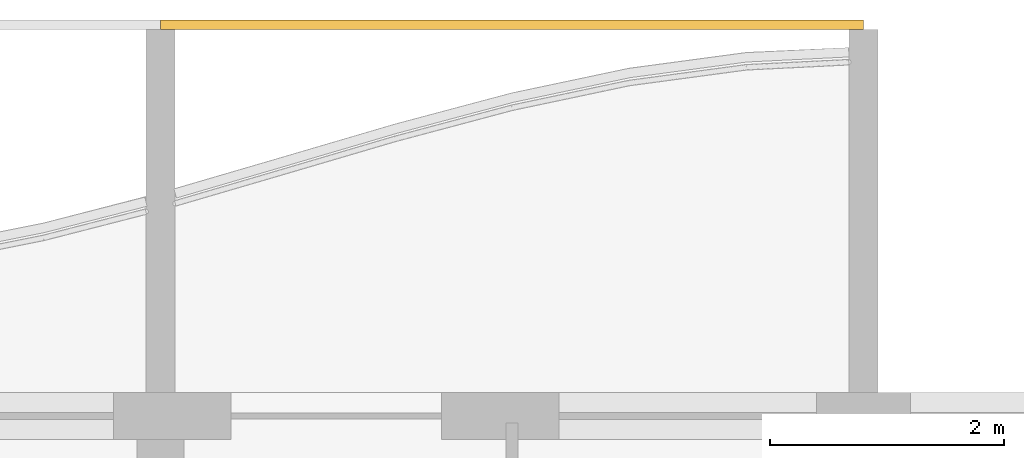
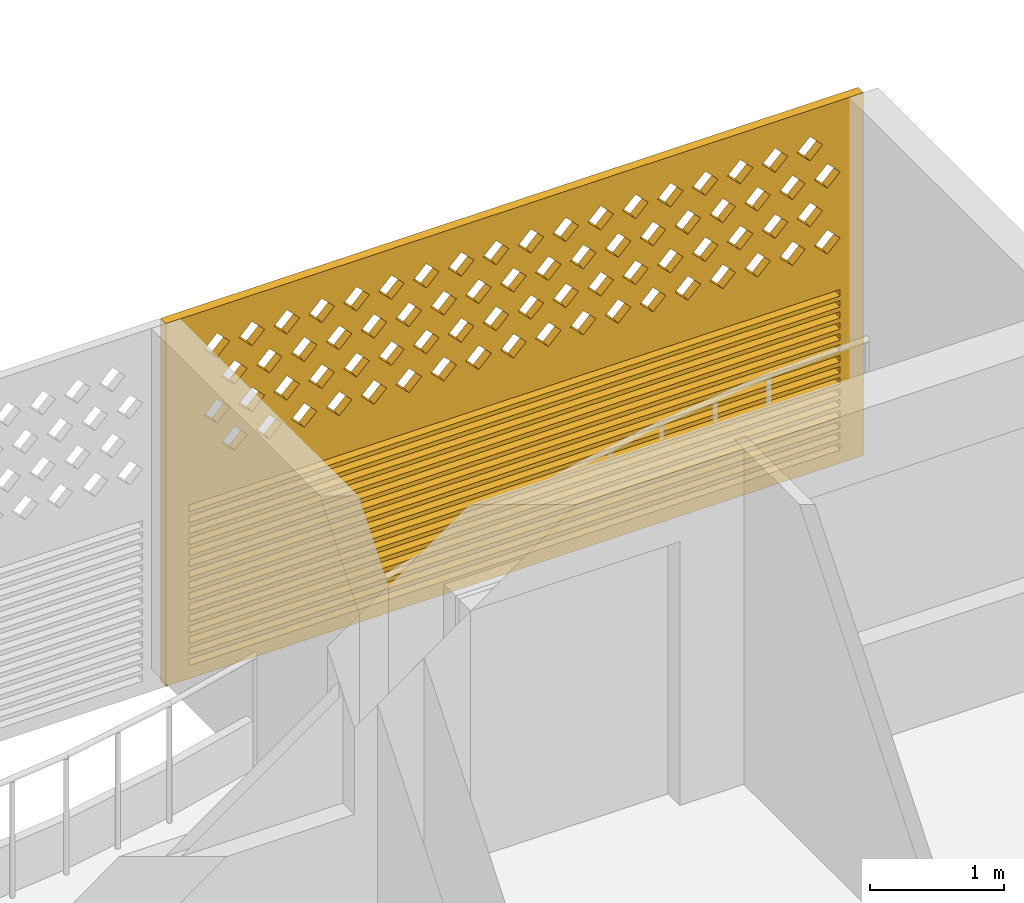
# One storey, part 39 of 39: 1 covering.
"""IFC4 building model written with IfcOpenShell, lengths in metres."""

from ifc_helpers import new_model, si_unit, direction, frame, origin, place, context, subcontext, project, spatial, polyline, outline, extrude, source, transform, mapped, material, material_profile, profile_set, type_object, element, save


model = new_model("IFC4")

# Units and contexts
model_context = context("Model", 3, precision=1e-05, world=origin(), true_north=direction((0.0, 1.0)))
body_context = subcontext(model_context, "Body", "Model", "MODEL_VIEW")
ifc_project = project(units=[si_unit("LENGTHUNIT", "METRE"), si_unit("AREAUNIT", "SQUARE_METRE"), si_unit("VOLUMEUNIT", "CUBIC_METRE"), si_unit("PLANEANGLEUNIT", "RADIAN"), si_unit("MASSUNIT", "GRAM", prefix="KILO")], contexts=[model_context])

# Site, building, storey
site_placement = place(None, origin())
site = spatial("IfcSite", under=ifc_project, at=site_placement, CompositionType="ELEMENT")
building_placement = place(site_placement, origin())
building = spatial("IfcBuilding", under=site, at=building_placement, Name="Poui Terraces", CompositionType="ELEMENT")
storey_placement = place(building_placement, frame((0.0, 0.0, 56.39990234375)))
storey = spatial("IfcBuildingStorey", under=building, at=storey_placement, Name="L15", CompositionType="ELEMENT", Elevation=56.39990234375)

# Covering
ifc_material = material(Name="Terracotta screen", Category="masonry")
ifc_material_profile = material_profile(ifc_material, outline(polyline([(-3.0, -1.64990234375), (3.0, -1.64990234375), (3.0, 1.64990234375), (-3.0, 1.64990234375), (-3.0, -1.64990234375)]), holes=[polyline([(-2.800048828125, 0.39990234375), (-2.68994140625, 0.2900390625), (-2.580078125, 0.39990234375), (-2.68994140625, 0.510009765625), (-2.800048828125, 0.39990234375)]), polyline([(-2.5, 0.39990234375), (-2.389892578125, 0.2900390625), (-2.280029296875, 0.39990234375), (-2.389892578125, 0.510009765625), (-2.5, 0.39990234375)]), polyline([(-2.199951171875, 0.39990234375), (-2.090087890625, 0.2900390625), (-1.97998046875, 0.39990234375), (-2.090087890625, 0.510009765625), (-2.199951171875, 0.39990234375)]), polyline([(-1.89990234375, 0.39990234375), (-1.7900390625, 0.2900390625), (-1.679931640625, 0.39990234375), (-1.7900390625, 0.510009765625), (-1.89990234375, 0.39990234375)]), polyline([(-1.60009765625, 0.39990234375), (-1.489990234375, 0.2900390625), (-1.3798828125, 0.39990234375), (-1.489990234375, 0.510009765625), (-1.60009765625, 0.39990234375)]), polyline([(-1.300048828125, 0.39990234375), (-1.18994140625, 0.2900390625), (-1.080078125, 0.39990234375), (-1.18994140625, 0.510009765625), (-1.300048828125, 0.39990234375)]), polyline([(-1.0, 0.39990234375), (-0.889892578125, 0.2900390625), (-0.780029296875, 0.39990234375), (-0.889892578125, 0.510009765625), (-1.0, 0.39990234375)]), polyline([(-0.699951171875, 0.39990234375), (-0.590087890625, 0.2900390625), (-0.47998046875, 0.39990234375), (-0.590087890625, 0.510009765625), (-0.699951171875, 0.39990234375)]), polyline([(-0.39990234375, 0.39990234375), (-0.2900390625, 0.2900390625), (-0.179931640625, 0.39990234375), (-0.2900390625, 0.510009765625), (-0.39990234375, 0.39990234375)]), polyline([(-0.10009765625, 0.39990234375), (0.010009765625, 0.2900390625), (0.1201171875, 0.39990234375), (0.010009765625, 0.510009765625), (-0.10009765625, 0.39990234375)]), polyline([(0.199951171875, 0.39990234375), (0.31005859375, 0.2900390625), (0.419921875, 0.39990234375), (0.31005859375, 0.510009765625), (0.199951171875, 0.39990234375)]), polyline([(0.5, 0.39990234375), (0.610107421875, 0.2900390625), (0.719970703125, 0.39990234375), (0.610107421875, 0.510009765625), (0.5, 0.39990234375)]), polyline([(0.800048828125, 0.39990234375), (0.909912109375, 0.2900390625), (1.02001953125, 0.39990234375), (0.909912109375, 0.510009765625), (0.800048828125, 0.39990234375)]), polyline([(1.10009765625, 0.39990234375), (1.2099609375, 0.2900390625), (1.320068359375, 0.39990234375), (1.2099609375, 0.510009765625), (1.10009765625, 0.39990234375)]), polyline([(1.39990234375, 0.39990234375), (1.510009765625, 0.2900390625), (1.6201171875, 0.39990234375), (1.510009765625, 0.510009765625), (1.39990234375, 0.39990234375)]), polyline([(1.699951171875, 0.39990234375), (1.81005859375, 0.2900390625), (1.919921875, 0.39990234375), (1.81005859375, 0.510009765625), (1.699951171875, 0.39990234375)]), polyline([(2.0, 0.39990234375), (2.110107421875, 0.2900390625), (2.219970703125, 0.39990234375), (2.110107421875, 0.510009765625), (2.0, 0.39990234375)]), polyline([(2.300048828125, 0.39990234375), (2.409912109375, 0.2900390625), (2.52001953125, 0.39990234375), (2.409912109375, 0.510009765625), (2.300048828125, 0.39990234375)]), polyline([(-2.64990234375, 0.699951171875), (-2.5400390625, 0.590087890625), (-2.429931640625, 0.699951171875), (-2.5400390625, 0.81005859375), (-2.64990234375, 0.699951171875)]), polyline([(-2.35009765625, 0.699951171875), (-2.239990234375, 0.590087890625), (-2.1298828125, 0.699951171875), (-2.239990234375, 0.81005859375), (-2.35009765625, 0.699951171875)]), polyline([(-2.050048828125, 0.699951171875), (-1.93994140625, 0.590087890625), (-1.830078125, 0.699951171875), (-1.93994140625, 0.81005859375), (-2.050048828125, 0.699951171875)]), polyline([(-1.75, 0.699951171875), (-1.639892578125, 0.590087890625), (-1.530029296875, 0.699951171875), (-1.639892578125, 0.81005859375), (-1.75, 0.699951171875)]), polyline([(-1.449951171875, 0.699951171875), (-1.340087890625, 0.590087890625), (-1.22998046875, 0.699951171875), (-1.340087890625, 0.81005859375), (-1.449951171875, 0.699951171875)]), polyline([(-1.14990234375, 0.699951171875), (-1.0400390625, 0.590087890625), (-0.929931640625, 0.699951171875), (-1.0400390625, 0.81005859375), (-1.14990234375, 0.699951171875)]), polyline([(-0.85009765625, 0.699951171875), (-0.739990234375, 0.590087890625), (-0.6298828125, 0.699951171875), (-0.739990234375, 0.81005859375), (-0.85009765625, 0.699951171875)]), polyline([(-0.550048828125, 0.699951171875), (-0.43994140625, 0.590087890625), (-0.330078125, 0.699951171875), (-0.43994140625, 0.81005859375), (-0.550048828125, 0.699951171875)]), polyline([(-0.25, 0.699951171875), (-0.139892578125, 0.590087890625), (-0.030029296875, 0.699951171875), (-0.139892578125, 0.81005859375), (-0.25, 0.699951171875)]), polyline([(0.050048828125, 0.699951171875), (0.159912109375, 0.590087890625), (0.27001953125, 0.699951171875), (0.159912109375, 0.81005859375), (0.050048828125, 0.699951171875)]), polyline([(0.35009765625, 0.699951171875), (0.4599609375, 0.590087890625), (0.570068359375, 0.699951171875), (0.4599609375, 0.81005859375), (0.35009765625, 0.699951171875)]), polyline([(0.64990234375, 0.699951171875), (0.760009765625, 0.590087890625), (0.8701171875, 0.699951171875), (0.760009765625, 0.81005859375), (0.64990234375, 0.699951171875)]), polyline([(0.949951171875, 0.699951171875), (1.06005859375, 0.590087890625), (1.169921875, 0.699951171875), (1.06005859375, 0.81005859375), (0.949951171875, 0.699951171875)]), polyline([(1.25, 0.699951171875), (1.360107421875, 0.590087890625), (1.469970703125, 0.699951171875), (1.360107421875, 0.81005859375), (1.25, 0.699951171875)]), polyline([(1.550048828125, 0.699951171875), (1.659912109375, 0.590087890625), (1.77001953125, 0.699951171875), (1.659912109375, 0.81005859375), (1.550048828125, 0.699951171875)]), polyline([(1.85009765625, 0.699951171875), (1.9599609375, 0.590087890625), (2.070068359375, 0.699951171875), (1.9599609375, 0.81005859375), (1.85009765625, 0.699951171875)]), polyline([(2.14990234375, 0.699951171875), (2.260009765625, 0.590087890625), (2.3701171875, 0.699951171875), (2.260009765625, 0.81005859375), (2.14990234375, 0.699951171875)]), polyline([(2.449951171875, 0.699951171875), (2.56005859375, 0.590087890625), (2.669921875, 0.699951171875), (2.56005859375, 0.81005859375), (2.449951171875, 0.699951171875)]), polyline([(-2.800048828125, 1.0), (-2.68994140625, 0.889892578125), (-2.580078125, 1.0), (-2.68994140625, 1.110107421875), (-2.800048828125, 1.0)]), polyline([(-2.5, 1.0), (-2.389892578125, 0.889892578125), (-2.280029296875, 1.0), (-2.389892578125, 1.110107421875), (-2.5, 1.0)]), polyline([(-2.199951171875, 1.0), (-2.090087890625, 0.889892578125), (-1.97998046875, 1.0), (-2.090087890625, 1.110107421875), (-2.199951171875, 1.0)]), polyline([(-1.89990234375, 1.0), (-1.7900390625, 0.889892578125), (-1.679931640625, 1.0), (-1.7900390625, 1.110107421875), (-1.89990234375, 1.0)]), polyline([(-1.60009765625, 1.0), (-1.489990234375, 0.889892578125), (-1.3798828125, 1.0), (-1.489990234375, 1.110107421875), (-1.60009765625, 1.0)]), polyline([(-1.300048828125, 1.0), (-1.18994140625, 0.889892578125), (-1.080078125, 1.0), (-1.18994140625, 1.110107421875), (-1.300048828125, 1.0)]), polyline([(-1.0, 1.0), (-0.889892578125, 0.889892578125), (-0.780029296875, 1.0), (-0.889892578125, 1.110107421875), (-1.0, 1.0)]), polyline([(-0.699951171875, 1.0), (-0.590087890625, 0.889892578125), (-0.47998046875, 1.0), (-0.590087890625, 1.110107421875), (-0.699951171875, 1.0)]), polyline([(-0.39990234375, 1.0), (-0.2900390625, 0.889892578125), (-0.179931640625, 1.0), (-0.2900390625, 1.110107421875), (-0.39990234375, 1.0)]), polyline([(-0.10009765625, 1.0), (0.010009765625, 0.889892578125), (0.1201171875, 1.0), (0.010009765625, 1.110107421875), (-0.10009765625, 1.0)]), polyline([(0.199951171875, 1.0), (0.31005859375, 0.889892578125), (0.419921875, 1.0), (0.31005859375, 1.110107421875), (0.199951171875, 1.0)]), polyline([(0.5, 1.0), (0.610107421875, 0.889892578125), (0.719970703125, 1.0), (0.610107421875, 1.110107421875), (0.5, 1.0)]), polyline([(0.800048828125, 1.0), (0.909912109375, 0.889892578125), (1.02001953125, 1.0), (0.909912109375, 1.110107421875), (0.800048828125, 1.0)]), polyline([(1.10009765625, 1.0), (1.2099609375, 0.889892578125), (1.320068359375, 1.0), (1.2099609375, 1.110107421875), (1.10009765625, 1.0)]), polyline([(1.39990234375, 1.0), (1.510009765625, 0.889892578125), (1.6201171875, 1.0), (1.510009765625, 1.110107421875), (1.39990234375, 1.0)]), polyline([(1.699951171875, 1.0), (1.81005859375, 0.889892578125), (1.919921875, 1.0), (1.81005859375, 1.110107421875), (1.699951171875, 1.0)]), polyline([(2.0, 1.0), (2.110107421875, 0.889892578125), (2.219970703125, 1.0), (2.110107421875, 1.110107421875), (2.0, 1.0)]), polyline([(2.300048828125, 1.0), (2.409912109375, 0.889892578125), (2.52001953125, 1.0), (2.409912109375, 1.110107421875), (2.300048828125, 1.0)]), polyline([(-2.64990234375, 1.300048828125), (-2.5400390625, 1.18994140625), (-2.429931640625, 1.300048828125), (-2.5400390625, 1.409912109375), (-2.64990234375, 1.300048828125)]), polyline([(-2.35009765625, 1.300048828125), (-2.239990234375, 1.18994140625), (-2.1298828125, 1.300048828125), (-2.239990234375, 1.409912109375), (-2.35009765625, 1.300048828125)]), polyline([(-2.050048828125, 1.300048828125), (-1.93994140625, 1.18994140625), (-1.830078125, 1.300048828125), (-1.93994140625, 1.409912109375), (-2.050048828125, 1.300048828125)]), polyline([(-1.75, 1.300048828125), (-1.639892578125, 1.18994140625), (-1.530029296875, 1.300048828125), (-1.639892578125, 1.409912109375), (-1.75, 1.300048828125)]), polyline([(-1.449951171875, 1.300048828125), (-1.340087890625, 1.18994140625), (-1.22998046875, 1.300048828125), (-1.340087890625, 1.409912109375), (-1.449951171875, 1.300048828125)]), polyline([(-1.14990234375, 1.300048828125), (-1.0400390625, 1.18994140625), (-0.929931640625, 1.300048828125), (-1.0400390625, 1.409912109375), (-1.14990234375, 1.300048828125)]), polyline([(-0.85009765625, 1.300048828125), (-0.739990234375, 1.18994140625), (-0.6298828125, 1.300048828125), (-0.739990234375, 1.409912109375), (-0.85009765625, 1.300048828125)]), polyline([(-0.550048828125, 1.300048828125), (-0.43994140625, 1.18994140625), (-0.330078125, 1.300048828125), (-0.43994140625, 1.409912109375), (-0.550048828125, 1.300048828125)]), polyline([(-0.25, 1.300048828125), (-0.139892578125, 1.18994140625), (-0.030029296875, 1.300048828125), (-0.139892578125, 1.409912109375), (-0.25, 1.300048828125)]), polyline([(0.050048828125, 1.300048828125), (0.159912109375, 1.18994140625), (0.27001953125, 1.300048828125), (0.159912109375, 1.409912109375), (0.050048828125, 1.300048828125)]), polyline([(0.35009765625, 1.300048828125), (0.4599609375, 1.18994140625), (0.570068359375, 1.300048828125), (0.4599609375, 1.409912109375), (0.35009765625, 1.300048828125)]), polyline([(0.64990234375, 1.300048828125), (0.760009765625, 1.18994140625), (0.8701171875, 1.300048828125), (0.760009765625, 1.409912109375), (0.64990234375, 1.300048828125)]), polyline([(0.949951171875, 1.300048828125), (1.06005859375, 1.18994140625), (1.169921875, 1.300048828125), (1.06005859375, 1.409912109375), (0.949951171875, 1.300048828125)]), polyline([(1.25, 1.300048828125), (1.360107421875, 1.18994140625), (1.469970703125, 1.300048828125), (1.360107421875, 1.409912109375), (1.25, 1.300048828125)]), polyline([(1.550048828125, 1.300048828125), (1.659912109375, 1.18994140625), (1.77001953125, 1.300048828125), (1.659912109375, 1.409912109375), (1.550048828125, 1.300048828125)]), polyline([(1.85009765625, 1.300048828125), (1.9599609375, 1.18994140625), (2.070068359375, 1.300048828125), (1.9599609375, 1.409912109375), (1.85009765625, 1.300048828125)]), polyline([(2.14990234375, 1.300048828125), (2.260009765625, 1.18994140625), (2.3701171875, 1.300048828125), (2.260009765625, 1.409912109375), (2.14990234375, 1.300048828125)]), polyline([(2.449951171875, 1.300048828125), (2.56005859375, 1.18994140625), (2.669921875, 1.300048828125), (2.56005859375, 1.409912109375), (2.449951171875, 1.300048828125)]), polyline([(-2.800048828125, -1.530029296875), (2.800048828125, -1.530029296875), (2.800048828125, -1.469970703125), (-2.800048828125, -1.469970703125), (-2.800048828125, -1.530029296875)]), polyline([(-2.800048828125, -1.429931640625), (2.800048828125, -1.429931640625), (2.800048828125, -1.3701171875), (-2.800048828125, -1.3701171875), (-2.800048828125, -1.429931640625)]), polyline([(-2.800048828125, -1.330078125), (2.800048828125, -1.330078125), (2.800048828125, -1.27001953125), (-2.800048828125, -1.27001953125), (-2.800048828125, -1.330078125)]), polyline([(-2.800048828125, -1.22998046875), (2.800048828125, -1.22998046875), (2.800048828125, -1.169921875), (-2.800048828125, -1.169921875), (-2.800048828125, -1.22998046875)]), polyline([(-2.800048828125, -1.1298828125), (2.800048828125, -1.1298828125), (2.800048828125, -1.070068359375), (-2.800048828125, -1.070068359375), (-2.800048828125, -1.1298828125)]), polyline([(-2.800048828125, -1.030029296875), (2.800048828125, -1.030029296875), (2.800048828125, -0.969970703125), (-2.800048828125, -0.969970703125), (-2.800048828125, -1.030029296875)]), polyline([(-2.800048828125, -0.929931640625), (2.800048828125, -0.929931640625), (2.800048828125, -0.8701171875), (-2.800048828125, -0.8701171875), (-2.800048828125, -0.929931640625)]), polyline([(-2.800048828125, -0.830078125), (2.800048828125, -0.830078125), (2.800048828125, -0.77001953125), (-2.800048828125, -0.77001953125), (-2.800048828125, -0.830078125)]), polyline([(-2.800048828125, -0.72998046875), (2.800048828125, -0.72998046875), (2.800048828125, -0.669921875), (-2.800048828125, -0.669921875), (-2.800048828125, -0.72998046875)]), polyline([(-2.800048828125, -0.6298828125), (2.800048828125, -0.6298828125), (2.800048828125, -0.570068359375), (-2.800048828125, -0.570068359375), (-2.800048828125, -0.6298828125)]), polyline([(-2.800048828125, -0.530029296875), (2.800048828125, -0.530029296875), (2.800048828125, -0.469970703125), (-2.800048828125, -0.469970703125), (-2.800048828125, -0.530029296875)]), polyline([(-2.800048828125, -0.429931640625), (2.800048828125, -0.429931640625), (2.800048828125, -0.3701171875), (-2.800048828125, -0.3701171875), (-2.800048828125, -0.429931640625)]), polyline([(-2.800048828125, -0.330078125), (2.800048828125, -0.330078125), (2.800048828125, -0.27001953125), (-2.800048828125, -0.27001953125), (-2.800048828125, -0.330078125)]), polyline([(-2.800048828125, -0.22998046875), (2.800048828125, -0.22998046875), (2.800048828125, -0.169921875), (-2.800048828125, -0.169921875), (-2.800048828125, -0.22998046875)]), polyline([(-2.800048828125, -0.1298828125), (2.800048828125, -0.1298828125), (2.800048828125, -0.070068359375), (-2.800048828125, -0.070068359375), (-2.800048828125, -0.1298828125)])]), Name="TERRACOTTA SCREEN AND JALOUSIE LOUVRE 6000X3300")
ifc_profile_set = profile_set([ifc_material_profile], Name="Terracotta screen")
covering_type = type_object("IfcCoveringType", Name="TERRACOTTA SCREEN AND JALOUSIE LOUVRE 6000X3300", PredefinedType="CLADDING", material=ifc_profile_set)
shared_shape = source(origin(), body_context, "Body", "SweptSolid", [
    extrude(outline(polyline([(-3.0, -1.64990234375), (3.0, -1.64990234375), (3.0, 1.64990234375), (-3.0, 1.64990234375), (-3.0, -1.64990234375)]), holes=[polyline([(-2.800048828125, 0.39990234375), (-2.68994140625, 0.2900390625), (-2.580078125, 0.39990234375), (-2.68994140625, 0.510009765625), (-2.800048828125, 0.39990234375)]), polyline([(-2.5, 0.39990234375), (-2.389892578125, 0.2900390625), (-2.280029296875, 0.39990234375), (-2.389892578125, 0.510009765625), (-2.5, 0.39990234375)]), polyline([(-2.199951171875, 0.39990234375), (-2.090087890625, 0.2900390625), (-1.97998046875, 0.39990234375), (-2.090087890625, 0.510009765625), (-2.199951171875, 0.39990234375)]), polyline([(-1.89990234375, 0.39990234375), (-1.7900390625, 0.2900390625), (-1.679931640625, 0.39990234375), (-1.7900390625, 0.510009765625), (-1.89990234375, 0.39990234375)]), polyline([(-1.60009765625, 0.39990234375), (-1.489990234375, 0.2900390625), (-1.3798828125, 0.39990234375), (-1.489990234375, 0.510009765625), (-1.60009765625, 0.39990234375)]), polyline([(-1.300048828125, 0.39990234375), (-1.18994140625, 0.2900390625), (-1.080078125, 0.39990234375), (-1.18994140625, 0.510009765625), (-1.300048828125, 0.39990234375)]), polyline([(-1.0, 0.39990234375), (-0.889892578125, 0.2900390625), (-0.780029296875, 0.39990234375), (-0.889892578125, 0.510009765625), (-1.0, 0.39990234375)]), polyline([(-0.699951171875, 0.39990234375), (-0.590087890625, 0.2900390625), (-0.47998046875, 0.39990234375), (-0.590087890625, 0.510009765625), (-0.699951171875, 0.39990234375)]), polyline([(-0.39990234375, 0.39990234375), (-0.2900390625, 0.2900390625), (-0.179931640625, 0.39990234375), (-0.2900390625, 0.510009765625), (-0.39990234375, 0.39990234375)]), polyline([(-0.10009765625, 0.39990234375), (0.010009765625, 0.2900390625), (0.1201171875, 0.39990234375), (0.010009765625, 0.510009765625), (-0.10009765625, 0.39990234375)]), polyline([(0.199951171875, 0.39990234375), (0.31005859375, 0.2900390625), (0.419921875, 0.39990234375), (0.31005859375, 0.510009765625), (0.199951171875, 0.39990234375)]), polyline([(0.5, 0.39990234375), (0.610107421875, 0.2900390625), (0.719970703125, 0.39990234375), (0.610107421875, 0.510009765625), (0.5, 0.39990234375)]), polyline([(0.800048828125, 0.39990234375), (0.909912109375, 0.2900390625), (1.02001953125, 0.39990234375), (0.909912109375, 0.510009765625), (0.800048828125, 0.39990234375)]), polyline([(1.10009765625, 0.39990234375), (1.2099609375, 0.2900390625), (1.320068359375, 0.39990234375), (1.2099609375, 0.510009765625), (1.10009765625, 0.39990234375)]), polyline([(1.39990234375, 0.39990234375), (1.510009765625, 0.2900390625), (1.6201171875, 0.39990234375), (1.510009765625, 0.510009765625), (1.39990234375, 0.39990234375)]), polyline([(1.699951171875, 0.39990234375), (1.81005859375, 0.2900390625), (1.919921875, 0.39990234375), (1.81005859375, 0.510009765625), (1.699951171875, 0.39990234375)]), polyline([(2.0, 0.39990234375), (2.110107421875, 0.2900390625), (2.219970703125, 0.39990234375), (2.110107421875, 0.510009765625), (2.0, 0.39990234375)]), polyline([(2.300048828125, 0.39990234375), (2.409912109375, 0.2900390625), (2.52001953125, 0.39990234375), (2.409912109375, 0.510009765625), (2.300048828125, 0.39990234375)]), polyline([(-2.64990234375, 0.699951171875), (-2.5400390625, 0.590087890625), (-2.429931640625, 0.699951171875), (-2.5400390625, 0.81005859375), (-2.64990234375, 0.699951171875)]), polyline([(-2.35009765625, 0.699951171875), (-2.239990234375, 0.590087890625), (-2.1298828125, 0.699951171875), (-2.239990234375, 0.81005859375), (-2.35009765625, 0.699951171875)]), polyline([(-2.050048828125, 0.699951171875), (-1.93994140625, 0.590087890625), (-1.830078125, 0.699951171875), (-1.93994140625, 0.81005859375), (-2.050048828125, 0.699951171875)]), polyline([(-1.75, 0.699951171875), (-1.639892578125, 0.590087890625), (-1.530029296875, 0.699951171875), (-1.639892578125, 0.81005859375), (-1.75, 0.699951171875)]), polyline([(-1.449951171875, 0.699951171875), (-1.340087890625, 0.590087890625), (-1.22998046875, 0.699951171875), (-1.340087890625, 0.81005859375), (-1.449951171875, 0.699951171875)]), polyline([(-1.14990234375, 0.699951171875), (-1.0400390625, 0.590087890625), (-0.929931640625, 0.699951171875), (-1.0400390625, 0.81005859375), (-1.14990234375, 0.699951171875)]), polyline([(-0.85009765625, 0.699951171875), (-0.739990234375, 0.590087890625), (-0.6298828125, 0.699951171875), (-0.739990234375, 0.81005859375), (-0.85009765625, 0.699951171875)]), polyline([(-0.550048828125, 0.699951171875), (-0.43994140625, 0.590087890625), (-0.330078125, 0.699951171875), (-0.43994140625, 0.81005859375), (-0.550048828125, 0.699951171875)]), polyline([(-0.25, 0.699951171875), (-0.139892578125, 0.590087890625), (-0.030029296875, 0.699951171875), (-0.139892578125, 0.81005859375), (-0.25, 0.699951171875)]), polyline([(0.050048828125, 0.699951171875), (0.159912109375, 0.590087890625), (0.27001953125, 0.699951171875), (0.159912109375, 0.81005859375), (0.050048828125, 0.699951171875)]), polyline([(0.35009765625, 0.699951171875), (0.4599609375, 0.590087890625), (0.570068359375, 0.699951171875), (0.4599609375, 0.81005859375), (0.35009765625, 0.699951171875)]), polyline([(0.64990234375, 0.699951171875), (0.760009765625, 0.590087890625), (0.8701171875, 0.699951171875), (0.760009765625, 0.81005859375), (0.64990234375, 0.699951171875)]), polyline([(0.949951171875, 0.699951171875), (1.06005859375, 0.590087890625), (1.169921875, 0.699951171875), (1.06005859375, 0.81005859375), (0.949951171875, 0.699951171875)]), polyline([(1.25, 0.699951171875), (1.360107421875, 0.590087890625), (1.469970703125, 0.699951171875), (1.360107421875, 0.81005859375), (1.25, 0.699951171875)]), polyline([(1.550048828125, 0.699951171875), (1.659912109375, 0.590087890625), (1.77001953125, 0.699951171875), (1.659912109375, 0.81005859375), (1.550048828125, 0.699951171875)]), polyline([(1.85009765625, 0.699951171875), (1.9599609375, 0.590087890625), (2.070068359375, 0.699951171875), (1.9599609375, 0.81005859375), (1.85009765625, 0.699951171875)]), polyline([(2.14990234375, 0.699951171875), (2.260009765625, 0.590087890625), (2.3701171875, 0.699951171875), (2.260009765625, 0.81005859375), (2.14990234375, 0.699951171875)]), polyline([(2.449951171875, 0.699951171875), (2.56005859375, 0.590087890625), (2.669921875, 0.699951171875), (2.56005859375, 0.81005859375), (2.449951171875, 0.699951171875)]), polyline([(-2.800048828125, 1.0), (-2.68994140625, 0.889892578125), (-2.580078125, 1.0), (-2.68994140625, 1.110107421875), (-2.800048828125, 1.0)]), polyline([(-2.5, 1.0), (-2.389892578125, 0.889892578125), (-2.280029296875, 1.0), (-2.389892578125, 1.110107421875), (-2.5, 1.0)]), polyline([(-2.199951171875, 1.0), (-2.090087890625, 0.889892578125), (-1.97998046875, 1.0), (-2.090087890625, 1.110107421875), (-2.199951171875, 1.0)]), polyline([(-1.89990234375, 1.0), (-1.7900390625, 0.889892578125), (-1.679931640625, 1.0), (-1.7900390625, 1.110107421875), (-1.89990234375, 1.0)]), polyline([(-1.60009765625, 1.0), (-1.489990234375, 0.889892578125), (-1.3798828125, 1.0), (-1.489990234375, 1.110107421875), (-1.60009765625, 1.0)]), polyline([(-1.300048828125, 1.0), (-1.18994140625, 0.889892578125), (-1.080078125, 1.0), (-1.18994140625, 1.110107421875), (-1.300048828125, 1.0)]), polyline([(-1.0, 1.0), (-0.889892578125, 0.889892578125), (-0.780029296875, 1.0), (-0.889892578125, 1.110107421875), (-1.0, 1.0)]), polyline([(-0.699951171875, 1.0), (-0.590087890625, 0.889892578125), (-0.47998046875, 1.0), (-0.590087890625, 1.110107421875), (-0.699951171875, 1.0)]), polyline([(-0.39990234375, 1.0), (-0.2900390625, 0.889892578125), (-0.179931640625, 1.0), (-0.2900390625, 1.110107421875), (-0.39990234375, 1.0)]), polyline([(-0.10009765625, 1.0), (0.010009765625, 0.889892578125), (0.1201171875, 1.0), (0.010009765625, 1.110107421875), (-0.10009765625, 1.0)]), polyline([(0.199951171875, 1.0), (0.31005859375, 0.889892578125), (0.419921875, 1.0), (0.31005859375, 1.110107421875), (0.199951171875, 1.0)]), polyline([(0.5, 1.0), (0.610107421875, 0.889892578125), (0.719970703125, 1.0), (0.610107421875, 1.110107421875), (0.5, 1.0)]), polyline([(0.800048828125, 1.0), (0.909912109375, 0.889892578125), (1.02001953125, 1.0), (0.909912109375, 1.110107421875), (0.800048828125, 1.0)]), polyline([(1.10009765625, 1.0), (1.2099609375, 0.889892578125), (1.320068359375, 1.0), (1.2099609375, 1.110107421875), (1.10009765625, 1.0)]), polyline([(1.39990234375, 1.0), (1.510009765625, 0.889892578125), (1.6201171875, 1.0), (1.510009765625, 1.110107421875), (1.39990234375, 1.0)]), polyline([(1.699951171875, 1.0), (1.81005859375, 0.889892578125), (1.919921875, 1.0), (1.81005859375, 1.110107421875), (1.699951171875, 1.0)]), polyline([(2.0, 1.0), (2.110107421875, 0.889892578125), (2.219970703125, 1.0), (2.110107421875, 1.110107421875), (2.0, 1.0)]), polyline([(2.300048828125, 1.0), (2.409912109375, 0.889892578125), (2.52001953125, 1.0), (2.409912109375, 1.110107421875), (2.300048828125, 1.0)]), polyline([(-2.64990234375, 1.300048828125), (-2.5400390625, 1.18994140625), (-2.429931640625, 1.300048828125), (-2.5400390625, 1.409912109375), (-2.64990234375, 1.300048828125)]), polyline([(-2.35009765625, 1.300048828125), (-2.239990234375, 1.18994140625), (-2.1298828125, 1.300048828125), (-2.239990234375, 1.409912109375), (-2.35009765625, 1.300048828125)]), polyline([(-2.050048828125, 1.300048828125), (-1.93994140625, 1.18994140625), (-1.830078125, 1.300048828125), (-1.93994140625, 1.409912109375), (-2.050048828125, 1.300048828125)]), polyline([(-1.75, 1.300048828125), (-1.639892578125, 1.18994140625), (-1.530029296875, 1.300048828125), (-1.639892578125, 1.409912109375), (-1.75, 1.300048828125)]), polyline([(-1.449951171875, 1.300048828125), (-1.340087890625, 1.18994140625), (-1.22998046875, 1.300048828125), (-1.340087890625, 1.409912109375), (-1.449951171875, 1.300048828125)]), polyline([(-1.14990234375, 1.300048828125), (-1.0400390625, 1.18994140625), (-0.929931640625, 1.300048828125), (-1.0400390625, 1.409912109375), (-1.14990234375, 1.300048828125)]), polyline([(-0.85009765625, 1.300048828125), (-0.739990234375, 1.18994140625), (-0.6298828125, 1.300048828125), (-0.739990234375, 1.409912109375), (-0.85009765625, 1.300048828125)]), polyline([(-0.550048828125, 1.300048828125), (-0.43994140625, 1.18994140625), (-0.330078125, 1.300048828125), (-0.43994140625, 1.409912109375), (-0.550048828125, 1.300048828125)]), polyline([(-0.25, 1.300048828125), (-0.139892578125, 1.18994140625), (-0.030029296875, 1.300048828125), (-0.139892578125, 1.409912109375), (-0.25, 1.300048828125)]), polyline([(0.050048828125, 1.300048828125), (0.159912109375, 1.18994140625), (0.27001953125, 1.300048828125), (0.159912109375, 1.409912109375), (0.050048828125, 1.300048828125)]), polyline([(0.35009765625, 1.300048828125), (0.4599609375, 1.18994140625), (0.570068359375, 1.300048828125), (0.4599609375, 1.409912109375), (0.35009765625, 1.300048828125)]), polyline([(0.64990234375, 1.300048828125), (0.760009765625, 1.18994140625), (0.8701171875, 1.300048828125), (0.760009765625, 1.409912109375), (0.64990234375, 1.300048828125)]), polyline([(0.949951171875, 1.300048828125), (1.06005859375, 1.18994140625), (1.169921875, 1.300048828125), (1.06005859375, 1.409912109375), (0.949951171875, 1.300048828125)]), polyline([(1.25, 1.300048828125), (1.360107421875, 1.18994140625), (1.469970703125, 1.300048828125), (1.360107421875, 1.409912109375), (1.25, 1.300048828125)]), polyline([(1.550048828125, 1.300048828125), (1.659912109375, 1.18994140625), (1.77001953125, 1.300048828125), (1.659912109375, 1.409912109375), (1.550048828125, 1.300048828125)]), polyline([(1.85009765625, 1.300048828125), (1.9599609375, 1.18994140625), (2.070068359375, 1.300048828125), (1.9599609375, 1.409912109375), (1.85009765625, 1.300048828125)]), polyline([(2.14990234375, 1.300048828125), (2.260009765625, 1.18994140625), (2.3701171875, 1.300048828125), (2.260009765625, 1.409912109375), (2.14990234375, 1.300048828125)]), polyline([(2.449951171875, 1.300048828125), (2.56005859375, 1.18994140625), (2.669921875, 1.300048828125), (2.56005859375, 1.409912109375), (2.449951171875, 1.300048828125)]), polyline([(-2.800048828125, -1.530029296875), (2.800048828125, -1.530029296875), (2.800048828125, -1.469970703125), (-2.800048828125, -1.469970703125), (-2.800048828125, -1.530029296875)]), polyline([(-2.800048828125, -1.429931640625), (2.800048828125, -1.429931640625), (2.800048828125, -1.3701171875), (-2.800048828125, -1.3701171875), (-2.800048828125, -1.429931640625)]), polyline([(-2.800048828125, -1.330078125), (2.800048828125, -1.330078125), (2.800048828125, -1.27001953125), (-2.800048828125, -1.27001953125), (-2.800048828125, -1.330078125)]), polyline([(-2.800048828125, -1.22998046875), (2.800048828125, -1.22998046875), (2.800048828125, -1.169921875), (-2.800048828125, -1.169921875), (-2.800048828125, -1.22998046875)]), polyline([(-2.800048828125, -1.1298828125), (2.800048828125, -1.1298828125), (2.800048828125, -1.070068359375), (-2.800048828125, -1.070068359375), (-2.800048828125, -1.1298828125)]), polyline([(-2.800048828125, -1.030029296875), (2.800048828125, -1.030029296875), (2.800048828125, -0.969970703125), (-2.800048828125, -0.969970703125), (-2.800048828125, -1.030029296875)]), polyline([(-2.800048828125, -0.929931640625), (2.800048828125, -0.929931640625), (2.800048828125, -0.8701171875), (-2.800048828125, -0.8701171875), (-2.800048828125, -0.929931640625)]), polyline([(-2.800048828125, -0.830078125), (2.800048828125, -0.830078125), (2.800048828125, -0.77001953125), (-2.800048828125, -0.77001953125), (-2.800048828125, -0.830078125)]), polyline([(-2.800048828125, -0.72998046875), (2.800048828125, -0.72998046875), (2.800048828125, -0.669921875), (-2.800048828125, -0.669921875), (-2.800048828125, -0.72998046875)]), polyline([(-2.800048828125, -0.6298828125), (2.800048828125, -0.6298828125), (2.800048828125, -0.570068359375), (-2.800048828125, -0.570068359375), (-2.800048828125, -0.6298828125)]), polyline([(-2.800048828125, -0.530029296875), (2.800048828125, -0.530029296875), (2.800048828125, -0.469970703125), (-2.800048828125, -0.469970703125), (-2.800048828125, -0.530029296875)]), polyline([(-2.800048828125, -0.429931640625), (2.800048828125, -0.429931640625), (2.800048828125, -0.3701171875), (-2.800048828125, -0.3701171875), (-2.800048828125, -0.429931640625)]), polyline([(-2.800048828125, -0.330078125), (2.800048828125, -0.330078125), (2.800048828125, -0.27001953125), (-2.800048828125, -0.27001953125), (-2.800048828125, -0.330078125)]), polyline([(-2.800048828125, -0.22998046875), (2.800048828125, -0.22998046875), (2.800048828125, -0.169921875), (-2.800048828125, -0.169921875), (-2.800048828125, -0.22998046875)]), polyline([(-2.800048828125, -0.1298828125), (2.800048828125, -0.1298828125), (2.800048828125, -0.070068359375), (-2.800048828125, -0.070068359375), (-2.800048828125, -0.1298828125)])]), origin(), (0.0, 0.0, 1.0), 0.079833984375),
])
covering_placement = place(storey_placement, frame((81.0, 48.10009765625, 1.4501953125), z_axis=(0.0, 1.0, 0.0), x_axis=(-1.0, 0.0, 0.0)))
element("IfcCovering", 1, at=covering_placement, inside=storey, type_object=covering_type, Name="SOLAR SCREEN AND JALOUSIE LOUVRE", PredefinedType="CLADDING", context=body_context, shape_type="MappedRepresentation", body=[
    mapped(shared_shape, transform((0.0, 0.0, 0.0))),
])

save(model, "model.ifc")
